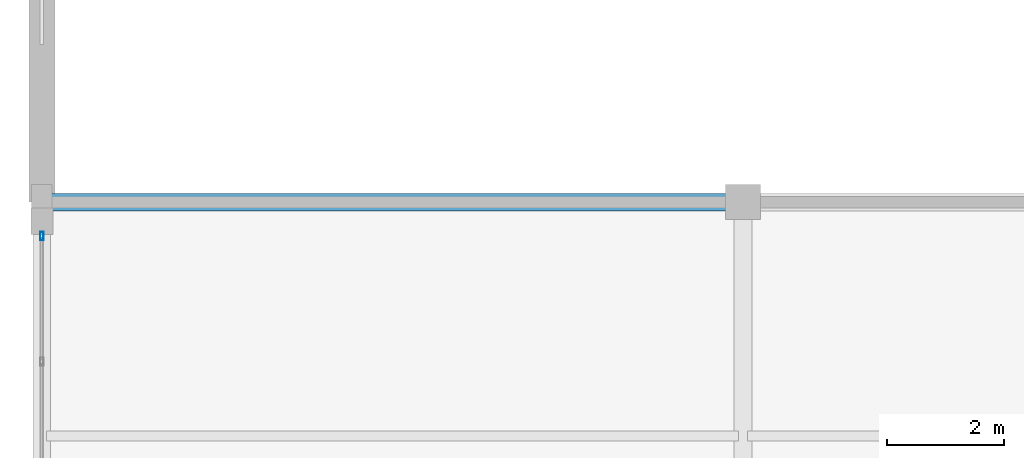
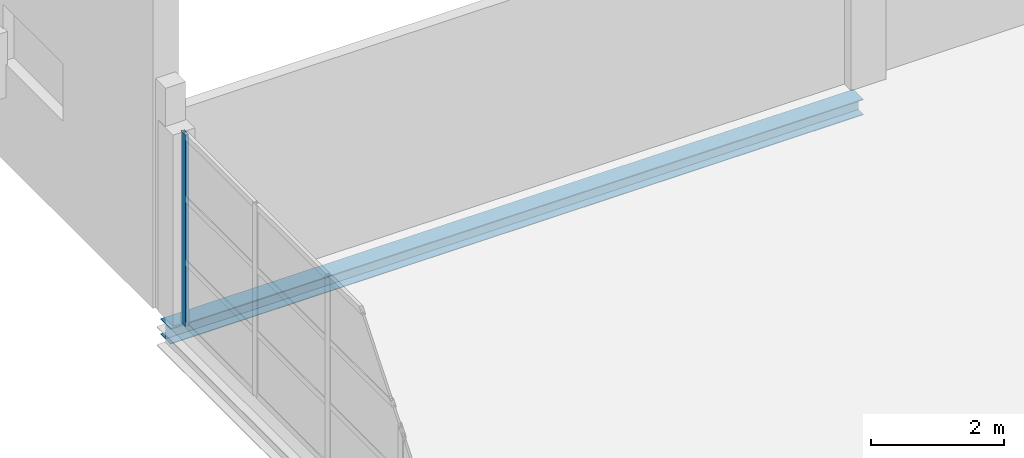
# One storey, part 111 of 147: 1 beam, 1 member, 1 element without a shape of its own.
"""IFC4 building model written with IfcOpenShell, lengths in metres."""

from ifc_helpers import new_model, si_unit, direction, frame, origin, origin_2d, place, context, subcontext, project, spatial, hollow_rectangle, i_section, extrude, material, layer, layer_set, material_profile, profile_set, type_object, element, aggregate, save


model = new_model("IFC4")

# Units and contexts
model_context = context("Model", 3, precision=1e-05, world=origin(), true_north=direction((0.0, 1.0)))
body_context = subcontext(model_context, "Body", "Model", "MODEL_VIEW")
ifc_project = project(units=[si_unit("LENGTHUNIT", "METRE"), si_unit("AREAUNIT", "SQUARE_METRE"), si_unit("VOLUMEUNIT", "CUBIC_METRE"), si_unit("PLANEANGLEUNIT", "RADIAN"), si_unit("MASSUNIT", "GRAM", prefix="KILO")], contexts=[model_context])

# Site, building, storey
site_placement = place(None, origin())
site = spatial("IfcSite", under=ifc_project, at=site_placement, CompositionType="ELEMENT")
building_placement = place(site_placement, origin())
building = spatial("IfcBuilding", under=site, at=building_placement, Name="Zilviju Railside Exhibition Hall", CompositionType="ELEMENT")
storey_placement = place(building_placement, frame((0.0, 0.0, 8.39990234375)))
storey = spatial("IfcBuildingStorey", under=building, at=storey_placement, Name="L03", CompositionType="ELEMENT", Elevation=8.39990234375)

# Beam
ifc_material_1 = material(Name="Steel S355J2", Category="steel")
ifc_material_profile_1 = material_profile(ifc_material_1, i_section(OverallWidth=0.300048828125, OverallDepth=0.2900390625, WebThickness=0.008544921875, FlangeThickness=0.013916015625, at=origin_2d()), Name="HEA 300")
ifc_profile_set_1 = profile_set([ifc_material_profile_1], Name="Steel S355J2")
beam_type = type_object("IfcBeamType", Name="BM-HEA300", PredefinedType="SPANDREL", material=ifc_profile_set_1)
beam_placement = place(storey_placement, frame((0.0, 138.0, -0.494873046875), z_axis=(1.0, 0.0, 0.0), x_axis=(0.0, 1.0, 0.0)))
element("IfcBeam", 1, at=beam_placement, inside=storey, type_object=beam_type, Name="Primary Girder L03 Y=138.0 (0.0..12.0)", PredefinedType="SPANDREL", context=body_context, shape_type="SweptSolid", body=[
    extrude(i_section(OverallWidth=0.300048828125, OverallDepth=0.2900390625, WebThickness=0.008544921875, FlangeThickness=0.013916015625, at=origin_2d()), origin(), (0.0, 0.0, 1.0), 12.0),
])

# Curtain wall, member
ifc_material_2 = material(Name="Thermally broken aluminium-steel triple-glazed curtain wall", Category="steel")
ifc_layer = layer(ifc_material_2, 0.179931640625)
ifc_layer_set = layer_set([ifc_layer], Name="Thermally broken aluminium-steel triple-glazed curtain wall")
curtain_wall_type = type_object("IfcCurtainWallType", Name="CW-BAY-05", PredefinedType="USERDEFINED", material=ifc_layer_set)
curtain_wall_placement = place(storey_placement, origin())
curtain_wall = element("IfcCurtainWall", 2, at=curtain_wall_placement, inside=storey, type_object=curtain_wall_type, Name="Organisers Wing Jugendstils Erkeri Curtain Wall L03", ObjectType="GLAZED CURTAIN WALL", PredefinedType="USERDEFINED")
ifc_material_3 = material(Name="Thermally broken anodized aluminium mullion", Category="aluminium")
ifc_material_profile_2 = material_profile(ifc_material_3, hollow_rectangle(XDim=0.06005859375, YDim=0.139892578125, WallThickness=0.0048828125, at=origin_2d()), Name="MULLION 140x60x5")
ifc_profile_set_2 = profile_set([ifc_material_profile_2], Name="Thermally broken anodized aluminium mullion")
member_type = type_object("IfcMemberType", Name="CWM-60x140", PredefinedType="MULLION", material=ifc_profile_set_2)
member_placement = place(storey_placement, frame((0.0, 137.419921875, 0.0), z_axis=(0.0, 0.0, 1.0), x_axis=(-1.0, 0.0, 0.0)))
member = element("IfcMember", 3, at=member_placement, type_object=member_type, Name="CW-05 mullion 6", PredefinedType="MULLION", context=body_context, shape_type="SweptSolid", body=[
    extrude(hollow_rectangle(XDim=0.06005859375, YDim=0.139892578125, WallThickness=0.0048828125, at=origin_2d()), origin(), (0.0, 0.0, 1.0), 3.5),
])
aggregate(curtain_wall, [member])

save(model, "model.ifc")
